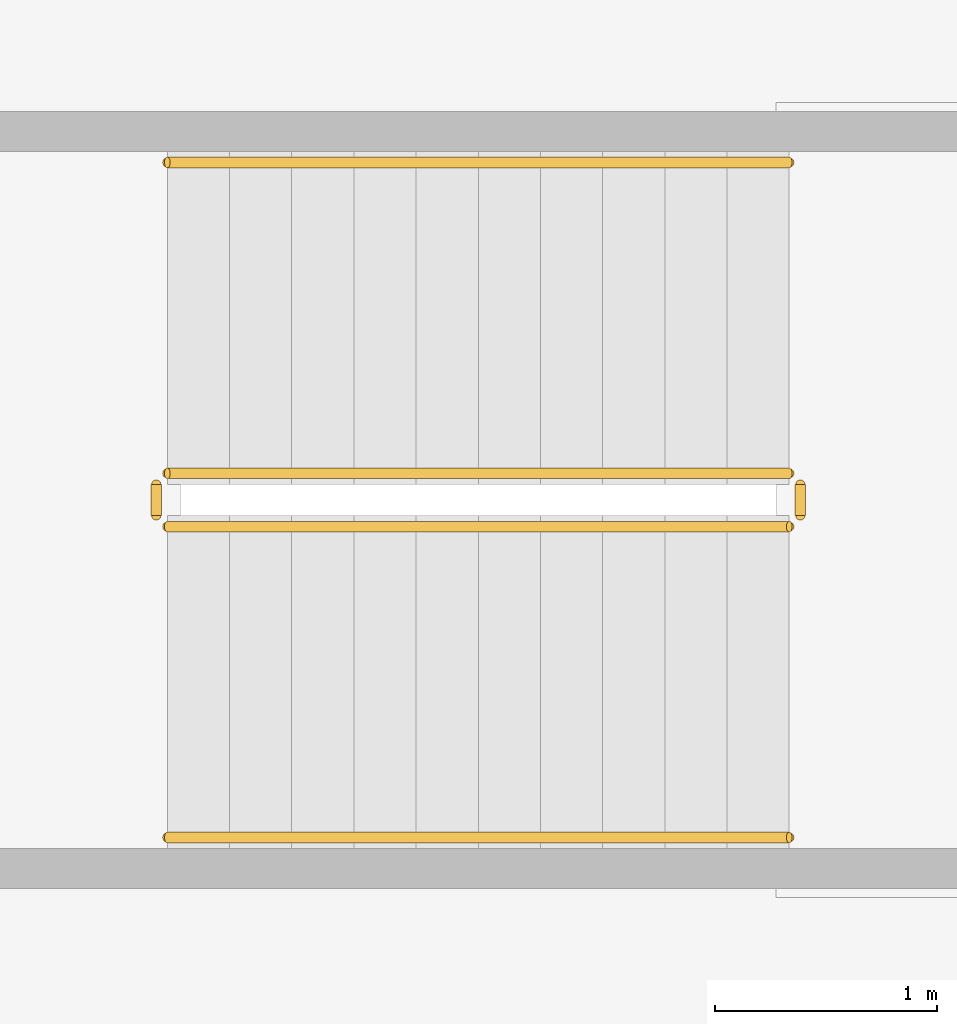
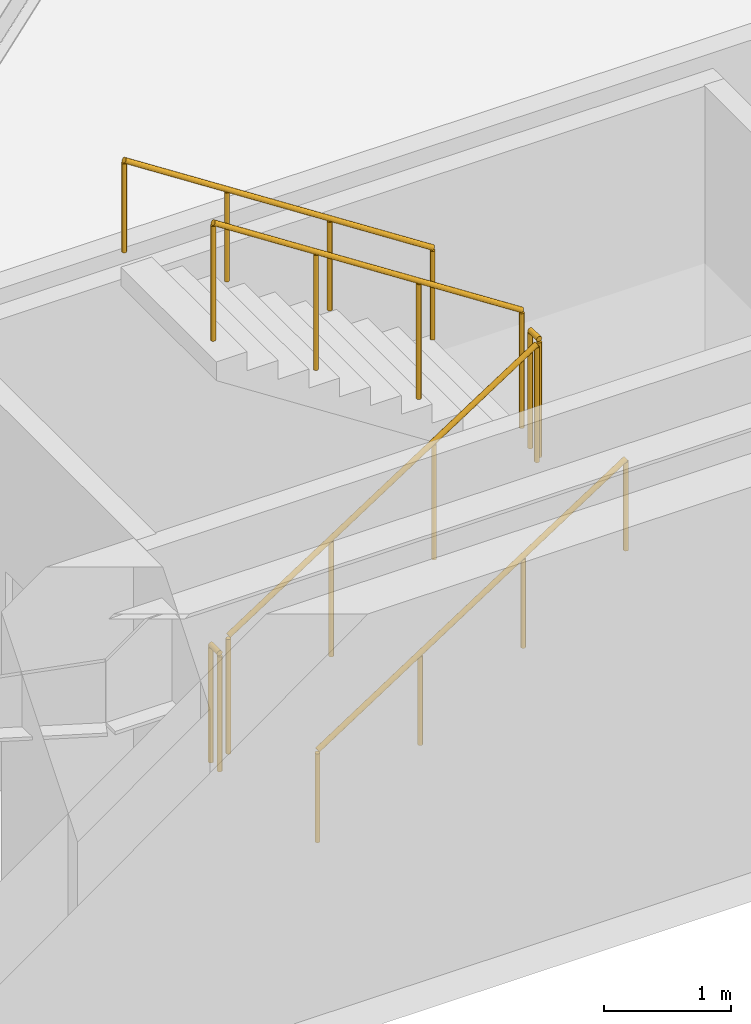
# One storey, part 6 of 9: 6 railings.
"""IFC4 building model written with IfcOpenShell, lengths in metres."""

from ifc_helpers import new_model, si_unit, direction, frame, origin, origin_2d, place, context, subcontext, project, spatial, circle, extrude, material, type_object, element, save


model = new_model("IFC4")

# Units and contexts
model_context = context("Model", 3, precision=1e-05, world=origin(), true_north=direction((0.0, 1.0)))
body_context = subcontext(model_context, "Body", "Model", "MODEL_VIEW")
ifc_project = project(units=[si_unit("LENGTHUNIT", "METRE"), si_unit("AREAUNIT", "SQUARE_METRE"), si_unit("VOLUMEUNIT", "CUBIC_METRE"), si_unit("PLANEANGLEUNIT", "RADIAN"), si_unit("MASSUNIT", "GRAM", prefix="KILO")], contexts=[model_context])

# Site, building, storey
site_placement = place(None, origin())
site = spatial("IfcSite", under=ifc_project, at=site_placement, CompositionType="ELEMENT")
building_placement = place(site_placement, origin())
building = spatial("IfcBuilding", under=site, at=building_placement, Name="Cairnveth Concourse Tower", CompositionType="ELEMENT")
storey_placement = place(building_placement, frame((0.0, 0.0, -4.0)))
storey = spatial("IfcBuildingStorey", under=building, at=storey_placement, Name="B01", CompositionType="ELEMENT", Elevation=-4.0)

# Railings
ifc_material = material(Name="Steel Grade 350", Category="steel")
railing_type_1 = type_object("IfcRailingType", Name="STAIR GUARDRAIL 1150", PredefinedType="GUARDRAIL", material=ifc_material)
railing_1_placement = place(storey_placement, frame((32.0, 16.25, 0.181884765625)))
element("IfcRailing", 1, at=railing_1_placement, inside=storey, type_object=railing_type_1, Name="B01 ST-B1 stair guard 1", PredefinedType="GUARDRAIL", context=body_context, shape_type="SweptSolid", body=[
    extrude(circle(Radius=0.02392578125, at=origin_2d()), frame((0.0, 0.0, 1.1259765625), z_axis=(0.838705829183, 0.0, 0.544584733623), x_axis=(0.0, 1.0, 0.0)), (0.0, 0.0, 1.0), 3.338623046875),
    extrude(circle(Radius=0.02099609375, at=origin_2d()), origin(), (0.0, 0.0, 1.0), 1.101806640625),
    extrude(circle(Radius=0.02099609375, at=origin_2d()), frame((0.933349609375, 0.0, 0.60595703125)), (0.0, 0.0, 1.0), 1.101806640625),
    extrude(circle(Radius=0.02099609375, at=origin_2d()), frame((1.86669921875, 0.0, 1.212158203125)), (0.0, 0.0, 1.0), 1.101806640625),
    extrude(circle(Radius=0.02099609375, at=origin_2d()), frame((2.800048828125, 0.0, 1.818115234375)), (0.0, 0.0, 1.0), 1.101806640625),
])
railing_2_placement = place(storey_placement, frame((34.85009765625, 16.300048828125, 2.0)))
element("IfcRailing", 2, at=railing_2_placement, inside=storey, type_object=railing_type_1, Name="B01 ST-B1 stair guard 2", PredefinedType="GUARDRAIL", context=body_context, shape_type="SweptSolid", body=[
    extrude(circle(Radius=0.02392578125, at=origin_2d()), frame((0.0, 0.0, 1.1259765625), z_axis=(0.0, 1.0, 0.0), x_axis=(-1.0, 0.0, 0.0)), (0.0, 0.0, 1.0), 0.139892578125),
    extrude(circle(Radius=0.02099609375, at=origin_2d()), origin(), (0.0, 0.0, 1.0), 1.101806640625),
    extrude(circle(Radius=0.02099609375, at=origin_2d()), frame((0.0, 0.139892578125, 0.0)), (0.0, 0.0, 1.0), 1.101806640625),
])
railing_3_placement = place(storey_placement, frame((34.800048828125, 16.489990234375, 2.181884765625)))
element("IfcRailing", 3, at=railing_3_placement, inside=storey, type_object=railing_type_1, Name="B01 ST-B1 stair guard 3", PredefinedType="GUARDRAIL", context=body_context, shape_type="SweptSolid", body=[
    extrude(circle(Radius=0.02392578125, at=origin_2d()), frame((0.0, 0.0, 1.1259765625), z_axis=(-0.838705829183, 0.0, 0.544584733623), x_axis=(0.0, -1.0, 0.0)), (0.0, 0.0, 1.0), 3.338623046875),
    extrude(circle(Radius=0.02099609375, at=origin_2d()), origin(), (0.0, 0.0, 1.0), 1.101806640625),
    extrude(circle(Radius=0.02099609375, at=origin_2d()), frame((-0.933349609375, 0.0, 0.60595703125)), (0.0, 0.0, 1.0), 1.101806640625),
    extrude(circle(Radius=0.02099609375, at=origin_2d()), frame((-1.86669921875, 0.0, 1.212158203125)), (0.0, 0.0, 1.0), 1.101806640625),
    extrude(circle(Radius=0.02099609375, at=origin_2d()), frame((-2.800048828125, 0.0, 1.818115234375)), (0.0, 0.0, 1.0), 1.101806640625),
])
railing_4_placement = place(storey_placement, frame((31.949951171875, 16.300048828125, 0.0)))
element("IfcRailing", 4, at=railing_4_placement, inside=storey, type_object=railing_type_1, Name="B01 ST-B1 stair guard 4", PredefinedType="GUARDRAIL", context=body_context, shape_type="SweptSolid", body=[
    extrude(circle(Radius=0.02392578125, at=origin_2d()), frame((0.0, 0.0, 1.1259765625), z_axis=(0.0, 1.0, 0.0), x_axis=(-1.0, 0.0, 0.0)), (0.0, 0.0, 1.0), 0.139892578125),
    extrude(circle(Radius=0.02099609375, at=origin_2d()), origin(), (0.0, 0.0, 1.0), 1.101806640625),
    extrude(circle(Radius=0.02099609375, at=origin_2d()), frame((0.0, 0.139892578125, 0.0)), (0.0, 0.0, 1.0), 1.101806640625),
])
railing_type_2 = type_object("IfcRailingType", Name="STAIR WALL HANDRAIL 900", PredefinedType="HANDRAIL", material=ifc_material)
railing_5_placement = place(storey_placement, frame((32.0, 14.85009765625, 0.181884765625)))
element("IfcRailing", 5, at=railing_5_placement, inside=storey, type_object=railing_type_2, Name="B01 ST-B1 stair handrail 1", PredefinedType="HANDRAIL", context=body_context, shape_type="SweptSolid", body=[
    extrude(circle(Radius=0.02392578125, at=origin_2d()), frame((0.0, 0.0, 0.8759765625), z_axis=(0.838705829183, 0.0, 0.544584733623), x_axis=(0.0, 1.0, 0.0)), (0.0, 0.0, 1.0), 3.338623046875),
    extrude(circle(Radius=0.02099609375, at=origin_2d()), origin(), (0.0, 0.0, 1.0), 0.851806640625),
    extrude(circle(Radius=0.02099609375, at=origin_2d()), frame((0.933349609375, 0.0, 0.60595703125)), (0.0, 0.0, 1.0), 0.851806640625),
    extrude(circle(Radius=0.02099609375, at=origin_2d()), frame((1.86669921875, 0.0, 1.212158203125)), (0.0, 0.0, 1.0), 0.851806640625),
    extrude(circle(Radius=0.02099609375, at=origin_2d()), frame((2.800048828125, 0.0, 1.818115234375)), (0.0, 0.0, 1.0), 0.851806640625),
])
railing_6_placement = place(storey_placement, frame((34.800048828125, 17.889892578125, 2.181884765625)))
element("IfcRailing", 6, at=railing_6_placement, inside=storey, type_object=railing_type_2, Name="B01 ST-B1 stair handrail 2", PredefinedType="HANDRAIL", context=body_context, shape_type="SweptSolid", body=[
    extrude(circle(Radius=0.02392578125, at=origin_2d()), frame((0.0, 0.0, 0.8759765625), z_axis=(-0.838705829183, 0.0, 0.544584733623), x_axis=(0.0, -1.0, 0.0)), (0.0, 0.0, 1.0), 3.338623046875),
    extrude(circle(Radius=0.02099609375, at=origin_2d()), origin(), (0.0, 0.0, 1.0), 0.851806640625),
    extrude(circle(Radius=0.02099609375, at=origin_2d()), frame((-0.933349609375, 0.0, 0.60595703125)), (0.0, 0.0, 1.0), 0.851806640625),
    extrude(circle(Radius=0.02099609375, at=origin_2d()), frame((-1.86669921875, 0.0, 1.212158203125)), (0.0, 0.0, 1.0), 0.851806640625),
    extrude(circle(Radius=0.02099609375, at=origin_2d()), frame((-2.800048828125, 0.0, 1.818115234375)), (0.0, 0.0, 1.0), 0.851806640625),
])

save(model, "model.ifc")
